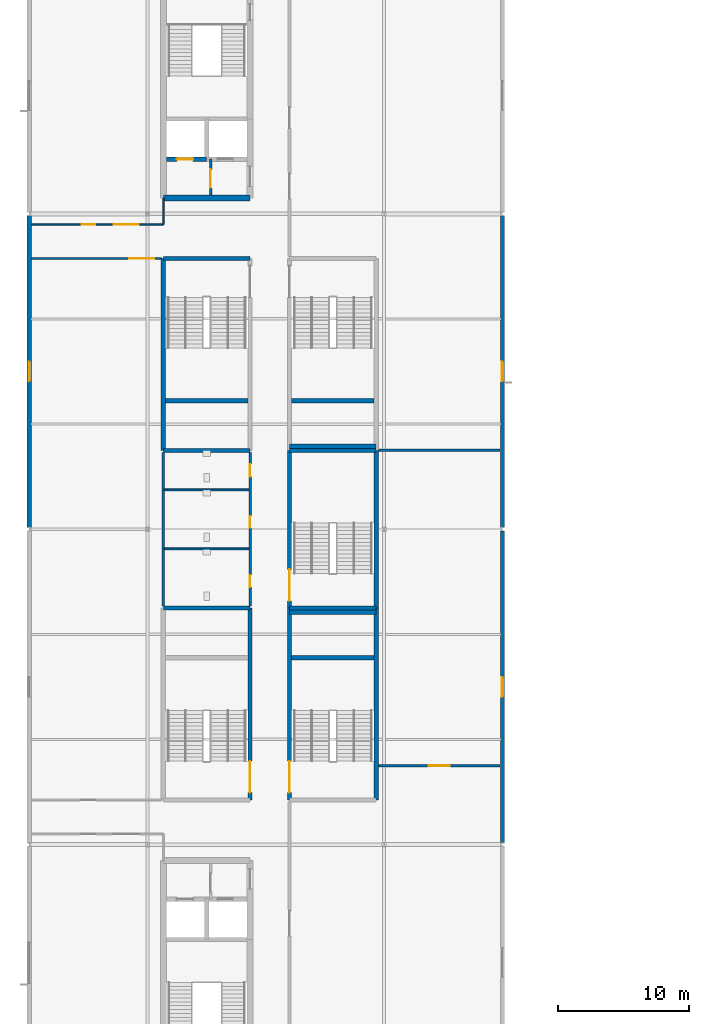
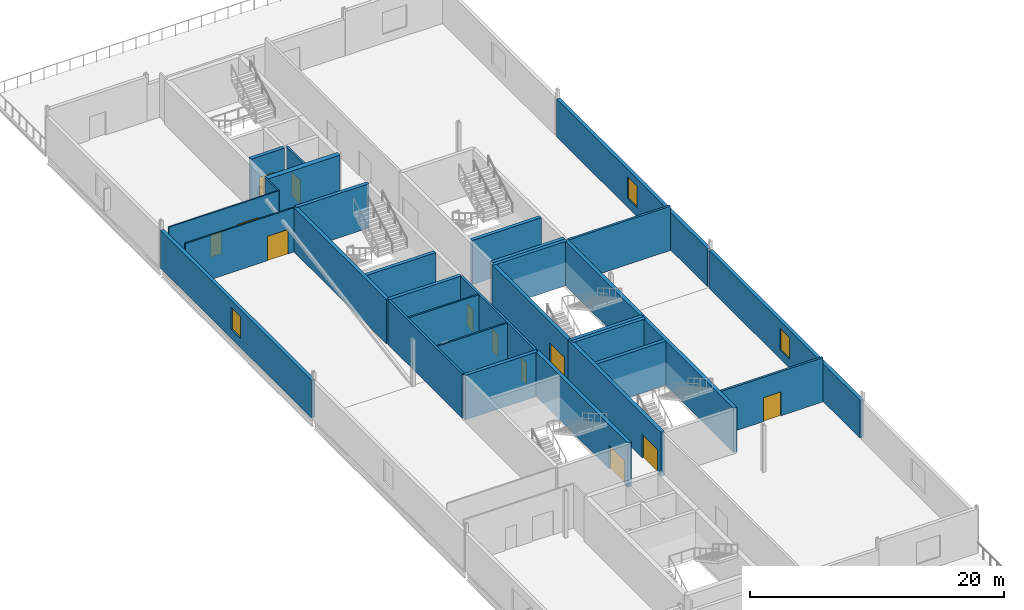
# One storey, part 12 of 28: 31 walls, 12 doors, 3 windows, 15 openings.
"""IFC4 building model written with IfcOpenShell, lengths in metres."""

from ifc_helpers import new_model, si_unit, direction, frame, frame_2d, origin, place, context, subcontext, project, spatial, rectangle, extrude, material, layer, layer_set, type_object, element, fill, save


model = new_model("IFC4")

# Units and contexts
model_context = context("Model", 3, precision=1e-05, world=origin(), true_north=direction((0.0, 1.0)))
body_context = subcontext(model_context, "Body", "Model", "MODEL_VIEW")
ifc_project = project(units=[si_unit("LENGTHUNIT", "METRE"), si_unit("AREAUNIT", "SQUARE_METRE"), si_unit("VOLUMEUNIT", "CUBIC_METRE"), si_unit("PLANEANGLEUNIT", "RADIAN"), si_unit("MASSUNIT", "GRAM", prefix="KILO")], contexts=[model_context])

# Site, building, storey
site_placement = place(None, origin())
site = spatial("IfcSite", under=ifc_project, at=site_placement, CompositionType="ELEMENT")
building_placement = place(site_placement, origin())
building = spatial("IfcBuilding", under=site, at=building_placement, Name="Kisiwana Market Hall", CompositionType="ELEMENT")
storey_placement = place(building_placement, frame((0.0, 0.0, 49.5)))
storey = spatial("IfcBuildingStorey", under=building, at=storey_placement, Name="L11", CompositionType="ELEMENT", Elevation=49.5)

# Wall, opening, door
ifc_material_1 = material(Name="Masonry blockwork", Category="masonry")
ifc_layer_1 = layer(ifc_material_1, 0.199951171875, Name="Plastered fire compartment block wall")
ifc_layer_set_1 = layer_set([ifc_layer_1], Name="WL-COMP-200")
wall_type_1 = type_object("IfcWallType", Name="WL-COMP-200", PredefinedType="PARTITIONING", material=ifc_layer_set_1)
wall_1_placement = place(storey_placement, frame((13.800048828125, 85.425048828125, 0.0), z_axis=(0.0, 0.0, 1.0), x_axis=(0.0, 1.0, 0.0)))
wall_1 = element("IfcWall", 1, at=wall_1_placement, inside=storey, type_object=wall_type_1, Name="Core W1 firefighting lobby wall W-2864", PredefinedType="PARTITIONING", context=body_context, shape_type="SweptSolid", body=[
    extrude(rectangle(XDim=2.72998046875, YDim=0.199951171875, at=frame_2d((1.364990234375, 0.0))), origin(), (0.0, 0.0, 1.0), 4.2548828125),
])
opening_1_placement = place(wall_1_placement, frame((0.550048828125, 0.0, 0.0)))
opening_1 = element("IfcOpeningElement", 2, at=opening_1_placement, cuts=wall_1, Name="Opening DR-L11-006", PredefinedType="OPENING", context=body_context, shape_type="SweptSolid", body=[
    extrude(rectangle(XDim=1.39990234375, YDim=2.25, at=frame_2d((0.699951171875, 1.125))), frame((0.0, 0.11181640625, 0.0), z_axis=(0.0, -1.0, 0.0), x_axis=(1.0, 0.0, 0.0)), (0.0, 0.0, 1.0), 0.223876953125),
])
ifc_material_2 = material(Name="Steel S275", Category="steel")
door_type_1 = type_object("IfcDoorType", Name="DR-FFLOB-FD120-1400", OperationType="DOUBLE_DOOR_SINGLE_SWING", PredefinedType="DOOR", material=ifc_material_2)
door_1_placement = place(opening_1_placement, frame((1.39990234375, 0.0, 0.0), z_axis=(0.0, 0.0, 1.0), x_axis=(-1.0, 0.0, 0.0)))
door_1 = element("IfcDoor", 3, at=door_1_placement, inside=storey, type_object=door_type_1, Name="Firefighting Lift Lobby W1 Door (L11)", OperationType="DOUBLE_DOOR_SINGLE_SWING", OverallHeight=2.25, OverallWidth=1.39990234375, PredefinedType="DOOR", context=body_context, shape_type="SweptSolid", body=[
    extrude(rectangle(XDim=1.39990234375, YDim=2.25, at=frame_2d((0.699951171875, 1.125))), frame((0.0, 0.02490234375, 0.0), z_axis=(0.0, -1.0, 0.0), x_axis=(1.0, 0.0, 0.0)), (0.0, 0.0, 1.0), 0.050048828125),
])
fill(opening_1, door_1)

# Wall
wall_2_placement = place(storey_placement, frame((10.199951171875, 54.159912109375, 0.0), z_axis=(0.0, 0.0, 1.0), x_axis=(0.0, 1.0, 0.0)))
element("IfcWall", 4, at=wall_2_placement, inside=storey, type_object=wall_type_1, Name="Interior partition W-2867", PredefinedType="PARTITIONING", context=body_context, shape_type="SweptSolid", body=[
    extrude(rectangle(XDim=11.68017578125, YDim=0.199951171875, at=frame_2d((5.840087890625, 0.0))), origin(), (0.0, 0.0, 1.0), 4.2548828125),
])

# Wall, openings, doors
wall_3_placement = place(storey_placement, frame((16.800048828125, 54.159912109375, 0.0), z_axis=(0.0, 0.0, 1.0), x_axis=(0.0, 1.0, 0.0)))
wall_3 = element("IfcWall", 5, at=wall_3_placement, inside=storey, type_object=wall_type_1, Name="Interior partition W-2868", PredefinedType="PARTITIONING", context=body_context, shape_type="SweptSolid", body=[
    extrude(rectangle(XDim=11.68017578125, YDim=0.199951171875, at=frame_2d((5.840087890625, 0.0))), origin(), (0.0, 0.0, 1.0), 4.2548828125),
])
opening_2_placement = place(wall_3_placement, frame((1.43994140625, 0.0, 0.0)))
opening_2 = element("IfcOpeningElement", 6, at=opening_2_placement, cuts=wall_3, Name="Opening DR-L11-023", PredefinedType="OPENING", context=body_context, shape_type="SweptSolid", body=[
    extrude(rectangle(XDim=0.89990234375, YDim=2.10009765625, at=frame_2d((0.449951171875, 1.050048828125))), frame((0.0, 0.11181640625, 0.0), z_axis=(0.0, -1.0, 0.0), x_axis=(1.0, 0.0, 0.0)), (0.0, 0.0, 1.0), 0.223876953125),
])
opening_3_placement = place(wall_3_placement, frame((5.93994140625, 0.0, 0.0)))
opening_3 = element("IfcOpeningElement", 7, at=opening_3_placement, cuts=wall_3, Name="Opening DR-L11-024", PredefinedType="OPENING", context=body_context, shape_type="SweptSolid", body=[
    extrude(rectangle(XDim=0.89990234375, YDim=2.10009765625, at=frame_2d((0.449951171875, 1.050048828125))), frame((0.0, 0.11181640625, 0.0), z_axis=(0.0, -1.0, 0.0), x_axis=(1.0, 0.0, 0.0)), (0.0, 0.0, 1.0), 0.223876953125),
])
opening_4_placement = place(wall_3_placement, frame((9.840087890625, 0.0, 0.0)))
opening_4 = element("IfcOpeningElement", 8, at=opening_4_placement, cuts=wall_3, Name="Opening DR-L11-025", PredefinedType="OPENING", context=body_context, shape_type="SweptSolid", body=[
    extrude(rectangle(XDim=0.949951171875, YDim=2.10009765625, at=frame_2d((0.47509765625, 1.050048828125))), frame((0.0, 0.11181640625, 0.0), z_axis=(0.0, -1.0, 0.0), x_axis=(1.0, 0.0, 0.0)), (0.0, 0.0, 1.0), 0.223876953125),
])
ifc_material_3 = material(Name="Aluminium alloy 6063-T6", Category="aluminium")
door_type_2 = type_object("IfcDoorType", Name="DR-WC-ACC-950", OperationType="NOTDEFINED", PredefinedType="DOOR", material=ifc_material_3)
door_2_placement = place(opening_4_placement, origin())
door_2 = element("IfcDoor", 9, at=door_2_placement, inside=storey, type_object=door_type_2, Name="L11 W Accessible WC Door", OperationType="SINGLE_SWING_RIGHT", OverallHeight=2.10009765625, OverallWidth=0.949951171875, PredefinedType="DOOR", context=body_context, shape_type="SweptSolid", body=[
    extrude(rectangle(XDim=0.949951171875, YDim=2.10009765625, at=frame_2d((0.47509765625, 1.050048828125))), frame((0.0, 0.02490234375, 0.0), z_axis=(0.0, -1.0, 0.0), x_axis=(1.0, 0.0, 0.0)), (0.0, 0.0, 1.0), 0.050048828125),
])
fill(opening_4, door_2)
ifc_material_4 = material(Name="Aluminium alloy 6063-T6", Category="aluminium")
door_type_3 = type_object("IfcDoorType", Name="DR-WC-STD-900", OperationType="NOTDEFINED", PredefinedType="DOOR", material=ifc_material_4)
door_3_placement = place(opening_2_placement, origin())
door_3 = element("IfcDoor", 10, at=door_3_placement, inside=storey, type_object=door_type_3, Name="L11 W Male Toilet Door", OperationType="SINGLE_SWING_LEFT", OverallHeight=2.10009765625, OverallWidth=0.89990234375, PredefinedType="DOOR", context=body_context, shape_type="SweptSolid", body=[
    extrude(rectangle(XDim=0.89990234375, YDim=2.10009765625, at=frame_2d((0.449951171875, 1.050048828125))), frame((0.0, 0.02490234375, 0.0), z_axis=(0.0, -1.0, 0.0), x_axis=(1.0, 0.0, 0.0)), (0.0, 0.0, 1.0), 0.050048828125),
])
fill(opening_2, door_3)
door_4_placement = place(opening_3_placement, origin())
door_4 = element("IfcDoor", 11, at=door_4_placement, inside=storey, type_object=door_type_3, Name="L11 W Female Toilet Door", OperationType="SINGLE_SWING_RIGHT", OverallHeight=2.10009765625, OverallWidth=0.89990234375, PredefinedType="DOOR", context=body_context, shape_type="SweptSolid", body=[
    extrude(rectangle(XDim=0.89990234375, YDim=2.10009765625, at=frame_2d((0.449951171875, 1.050048828125))), frame((0.0, 0.02490234375, 0.0), z_axis=(0.0, -1.0, 0.0), x_axis=(1.0, 0.0, 0.0)), (0.0, 0.0, 1.0), 0.050048828125),
])
fill(opening_3, door_4)

# Wall, opening, door
wall_4_placement = place(storey_placement, frame((26.56005859375, 42.0, 0.0), z_axis=(0.0, 0.0, 1.0), x_axis=(1.0, 0.0, 0.0)))
wall_4 = element("IfcWall", 12, at=wall_4_placement, inside=storey, type_object=wall_type_1, Name="Interior partition W-2879", PredefinedType="PARTITIONING", context=body_context, shape_type="SweptSolid", body=[
    extrude(rectangle(XDim=9.27001953125, YDim=0.199951171875, at=frame_2d((4.635009765625, 0.0))), origin(), (0.0, 0.0, 1.0), 4.2548828125),
])
opening_5_placement = place(wall_4_placement, frame((3.85009765625, 0.0, 0.0)))
opening_5 = element("IfcOpeningElement", 13, at=opening_5_placement, cuts=wall_4, Name="Opening DR-L11-032", PredefinedType="OPENING", context=body_context, shape_type="SweptSolid", body=[
    extrude(rectangle(XDim=1.60009765625, YDim=2.300048828125, at=frame_2d((0.800048828125, 1.14990234375))), frame((0.0, 0.11181640625, 0.0), z_axis=(0.0, -1.0, 0.0), x_axis=(1.0, 0.0, 0.0)), (0.0, 0.0, 1.0), 0.223876953125),
])
ifc_material_5 = material(Name="Steel S275", Category="steel")
door_type_4 = type_object("IfcDoorType", Name="DR-PLANT-FD120-1600", OperationType="DOUBLE_DOOR_SINGLE_SWING", PredefinedType="DOOR", material=ifc_material_5)
door_5_placement = place(opening_5_placement, origin())
door_5 = element("IfcDoor", 14, at=door_5_placement, inside=storey, type_object=door_type_4, Name="L11 W Mid-Height AHU Plant Room Door", OperationType="DOUBLE_DOOR_SINGLE_SWING", OverallHeight=2.300048828125, OverallWidth=1.60009765625, PredefinedType="DOOR", context=body_context, shape_type="SweptSolid", body=[
    extrude(rectangle(XDim=1.60009765625, YDim=2.300048828125, at=frame_2d((0.800048828125, 1.14990234375))), frame((0.0, 0.02490234375, 0.0), z_axis=(0.0, -1.0, 0.0), x_axis=(1.0, 0.0, 0.0)), (0.0, 0.0, 1.0), 0.050048828125),
])
fill(opening_5, door_5)

# Wall
wall_5_placement = place(storey_placement, frame((26.56005859375, 66.0, 0.0), z_axis=(0.0, 0.0, 1.0), x_axis=(1.0, 0.0, 0.0)))
element("IfcWall", 15, at=wall_5_placement, inside=storey, type_object=wall_type_1, Name="Interior partition W-2880", PredefinedType="PARTITIONING", context=body_context, shape_type="SweptSolid", body=[
    extrude(rectangle(XDim=9.27001953125, YDim=0.199951171875, at=frame_2d((4.635009765625, 0.0))), origin(), (0.0, 0.0, 1.0), 4.2548828125),
])

# Wall, opening, door
ifc_material_6 = material(Name="Concrete C40/50", Category="concrete")
ifc_layer_2 = layer(ifc_material_6, 0.320068359375, Name="Reinforced concrete shaft wall")
ifc_layer_set_2 = layer_set([ifc_layer_2], Name="WL-CORE-320")
wall_type_2 = type_object("IfcWallType", Name="WL-CORE-320", PredefinedType="SHEAR", material=ifc_layer_set_2)
wall_6_placement = place(storey_placement, frame((10.425048828125, 88.155029296875, 0.0), z_axis=(0.0, 0.0, 1.0), x_axis=(1.0, 0.0, 0.0)))
wall_6 = element("IfcWall", 16, at=wall_6_placement, inside=storey, type_object=wall_type_2, Name="Core W1 west lift front wall W-2767", PredefinedType="SHEAR", context=body_context, shape_type="SweptSolid", body=[
    extrude(rectangle(XDim=3.074951171875, YDim=0.320068359375, at=frame_2d((1.53759765625, 0.0))), origin(), (0.0, 0.0, 1.0), 4.2548828125),
])
opening_6_placement = place(wall_6_placement, frame((0.800048828125, 0.0, 0.0)))
opening_6 = element("IfcOpeningElement", 17, at=opening_6_placement, cuts=wall_6, Name="Opening LD-L11-003", PredefinedType="OPENING", context=body_context, shape_type="SweptSolid", body=[
    extrude(rectangle(XDim=1.25, YDim=2.25, at=frame_2d((0.625, 1.125))), frame((0.0, 0.171875, 0.0), z_axis=(0.0, -1.0, 0.0), x_axis=(1.0, 0.0, 0.0)), (0.0, 0.0, 1.0), 0.343994140625),
])
ifc_material_7 = material(Name="Steel S275", Category="steel")
door_type_5 = type_object("IfcDoorType", Name="DR-LIFT-FFL-1250", OperationType="DOUBLE_DOOR_SLIDING", PredefinedType="DOOR", material=ifc_material_7)
door_6_placement = place(opening_6_placement, origin())
door_6 = element("IfcDoor", 18, at=door_6_placement, inside=storey, type_object=door_type_5, Name="Lift Landing Door FFL-02 (L11)", OperationType="DOUBLE_DOOR_SLIDING", OverallHeight=2.25, OverallWidth=1.25, PredefinedType="DOOR", context=body_context, shape_type="SweptSolid", body=[
    extrude(rectangle(XDim=1.25, YDim=2.25, at=frame_2d((0.625, 1.125))), frame((0.0, 0.02490234375, 0.0), z_axis=(0.0, -1.0, 0.0), x_axis=(1.0, 0.0, 0.0)), (0.0, 0.0, 1.0), 0.050048828125),
])
fill(opening_6, door_6)

# Wall
wall_7_placement = place(storey_placement, frame((10.199951171875, 54.0, 0.0), z_axis=(0.0, 0.0, 1.0), x_axis=(1.0, 0.0, 0.0)))
element("IfcWall", 19, at=wall_7_placement, inside=storey, type_object=wall_type_2, Name="Core W3 north shear wall W-2788", PredefinedType="SHEAR", context=body_context, shape_type="SweptSolid", body=[
    extrude(rectangle(XDim=6.60009765625, YDim=0.320068359375, at=frame_2d((3.300048828125, 0.0))), origin(), (0.0, 0.0, 1.0), 4.2548828125),
])

# Wall, opening, door
wall_8_placement = place(storey_placement, frame((16.800048828125, 39.39990234375, 0.0), z_axis=(0.0, 0.0, 1.0), x_axis=(0.0, 1.0, 0.0)))
wall_8 = element("IfcWall", 20, at=wall_8_placement, inside=storey, type_object=wall_type_2, Name="Core W3 corridor shear wall W-2790", PredefinedType="SHEAR", context=body_context, shape_type="SweptSolid", body=[
    extrude(rectangle(XDim=14.60009765625, YDim=0.320068359375, at=frame_2d((7.300048828125, 0.0))), origin(), (0.0, 0.0, 1.0), 4.2548828125),
])
opening_7_placement = place(wall_8_placement, frame((0.550048828125, 0.0, 0.0)))
opening_7 = element("IfcOpeningElement", 21, at=opening_7_placement, cuts=wall_8, Name="Opening DR-L11-013", PredefinedType="OPENING", context=body_context, shape_type="SweptSolid", body=[
    extrude(rectangle(XDim=2.39990234375, YDim=2.25, at=frame_2d((1.199951171875, 1.125))), frame((0.0, 0.171875, 0.0), z_axis=(0.0, -1.0, 0.0), x_axis=(1.0, 0.0, 0.0)), (0.0, 0.0, 1.0), 0.343994140625),
])
ifc_material_8 = material(Name="Steel S275", Category="steel")
door_type_6 = type_object("IfcDoorType", Name="DR-STAIR-FD120-2400", OperationType="DOUBLE_DOOR_SINGLE_SWING", PredefinedType="DOOR", material=ifc_material_8)
door_7_placement = place(opening_7_placement, origin())
door_7 = element("IfcDoor", 22, at=door_7_placement, inside=storey, type_object=door_type_6, Name="Escape Stair W3 Fire Door (L11)", OperationType="DOUBLE_DOOR_SINGLE_SWING", OverallHeight=2.25, OverallWidth=2.39990234375, PredefinedType="DOOR", context=body_context, shape_type="SweptSolid", body=[
    extrude(rectangle(XDim=2.39990234375, YDim=2.25, at=frame_2d((1.199951171875, 1.125))), frame((0.0, 0.02490234375, 0.0), z_axis=(0.0, -1.0, 0.0), x_axis=(1.0, 0.0, 0.0)), (0.0, 0.0, 1.0), 0.050048828125),
])
fill(opening_7, door_7)

# Walls
for number, where, z_axis, x_axis, name in (
    (23, (10.199951171875, 66.0, 0.0), (0.0, 0.0, 1.0), (1.0, 0.0, 0.0), "Core W4 south shear wall W-2792"),
    (24, (10.199951171875, 80.60009765625, 0.0), (0.0, 0.0, 1.0), (1.0, 0.0, 0.0), "Core W4 north shear wall W-2793"),
):
    element("IfcWall", number, at=place(storey_placement, frame(where, z_axis=z_axis, x_axis=x_axis)), inside=storey, type_object=wall_type_2, Name=name, PredefinedType="SHEAR", context=body_context, shape_type="SweptSolid", body=[
        extrude(rectangle(XDim=6.60009765625, YDim=0.320068359375, at=frame_2d((3.300048828125, 0.0))), origin(), (0.0, 0.0, 1.0), 4.2548828125),
    ])
wall_9_placement = place(storey_placement, frame((10.199951171875, 66.0, 0.0), z_axis=(0.0, 0.0, 1.0), x_axis=(0.0, 1.0, 0.0)))
element("IfcWall", 25, at=wall_9_placement, inside=storey, type_object=wall_type_2, Name="Core W4 outer shear wall W-2794", PredefinedType="SHEAR", context=body_context, shape_type="SweptSolid", body=[
    extrude(rectangle(XDim=14.60009765625, YDim=0.320068359375, at=frame_2d((7.300048828125, 0.0))), origin(), (0.0, 0.0, 1.0), 4.2548828125),
])
wall_10_placement = place(storey_placement, frame((10.360107421875, 69.780029296875, 0.0), z_axis=(0.0, 0.0, 1.0), x_axis=(1.0, 0.0, 0.0)))
element("IfcWall", 26, at=wall_10_placement, inside=storey, type_object=wall_type_2, Name="Core W4 riser divider shear wall W-2796", PredefinedType="SHEAR", context=body_context, shape_type="SweptSolid", body=[
    extrude(rectangle(XDim=6.27978515625, YDim=0.320068359375, at=frame_2d((3.139892578125, 0.0))), origin(), (0.0, 0.0, 1.0), 4.2548828125),
])
wall_11_placement = place(storey_placement, frame((19.800048828125, 54.0, 0.0), z_axis=(0.0, 0.0, 1.0), x_axis=(1.0, 0.0, 0.0)))
element("IfcWall", 27, at=wall_11_placement, inside=storey, type_object=wall_type_2, Name="Core W7 north shear wall W-2808", PredefinedType="SHEAR", context=body_context, shape_type="SweptSolid", body=[
    extrude(rectangle(XDim=6.599853515625, YDim=0.320068359375, at=frame_2d((3.2998046875, 0.0))), origin(), (0.0, 0.0, 1.0), 4.2548828125),
])

# Wall, opening, door
wall_12_placement = place(storey_placement, frame((19.800048828125, 39.39990234375, 0.0), z_axis=(0.0, 0.0, 1.0), x_axis=(0.0, 1.0, 0.0)))
wall_12 = element("IfcWall", 28, at=wall_12_placement, inside=storey, type_object=wall_type_2, Name="Core W7 corridor shear wall W-2809", PredefinedType="SHEAR", context=body_context, shape_type="SweptSolid", body=[
    extrude(rectangle(XDim=14.60009765625, YDim=0.320068359375, at=frame_2d((7.300048828125, 0.0))), origin(), (0.0, 0.0, 1.0), 4.2548828125),
])
opening_8_placement = place(wall_12_placement, frame((0.550048828125, 0.0, 0.0)))
opening_8 = element("IfcOpeningElement", 29, at=opening_8_placement, cuts=wall_12, Name="Opening DR-L11-017", PredefinedType="OPENING", context=body_context, shape_type="SweptSolid", body=[
    extrude(rectangle(XDim=2.39990234375, YDim=2.25, at=frame_2d((1.199951171875, 1.125))), frame((0.0, 0.171875, 0.0), z_axis=(0.0, -1.0, 0.0), x_axis=(1.0, 0.0, 0.0)), (0.0, 0.0, 1.0), 0.343994140625),
])
door_8_placement = place(opening_8_placement, frame((2.39990234375, 0.0, 0.0), z_axis=(0.0, 0.0, 1.0), x_axis=(-1.0, 0.0, 0.0)))
door_8 = element("IfcDoor", 30, at=door_8_placement, inside=storey, type_object=door_type_6, Name="Escape Stair W7 Fire Door (L11)", OperationType="DOUBLE_DOOR_SINGLE_SWING", OverallHeight=2.25, OverallWidth=2.39990234375, PredefinedType="DOOR", context=body_context, shape_type="SweptSolid", body=[
    extrude(rectangle(XDim=2.39990234375, YDim=2.25, at=frame_2d((1.199951171875, 1.125))), frame((0.0, 0.02490234375, 0.0), z_axis=(0.0, -1.0, 0.0), x_axis=(1.0, 0.0, 0.0)), (0.0, 0.0, 1.0), 0.050048828125),
])
fill(opening_8, door_8)

# Walls
wall_13_placement = place(storey_placement, frame((26.39990234375, 39.39990234375, 0.0), z_axis=(0.0, 0.0, 1.0), x_axis=(0.0, 1.0, 0.0)))
element("IfcWall", 31, at=wall_13_placement, inside=storey, type_object=wall_type_2, Name="Core W7 outer shear wall W-2810", PredefinedType="SHEAR", context=body_context, shape_type="SweptSolid", body=[
    extrude(rectangle(XDim=14.60009765625, YDim=0.320068359375, at=frame_2d((7.300048828125, 0.0))), origin(), (0.0, 0.0, 1.0), 4.2548828125),
])
wall_14_placement = place(storey_placement, frame((19.9599609375, 50.219970703125, 0.0), z_axis=(0.0, 0.0, 1.0), x_axis=(1.0, 0.0, 0.0)))
element("IfcWall", 32, at=wall_14_placement, inside=storey, type_object=wall_type_2, Name="Core W7 riser divider shear wall W-2811", PredefinedType="SHEAR", context=body_context, shape_type="SweptSolid", body=[
    extrude(rectangle(XDim=6.280029296875, YDim=0.320068359375, at=frame_2d((3.14013671875, 0.0))), origin(), (0.0, 0.0, 1.0), 4.2548828125),
])
wall_15_placement = place(storey_placement, frame((19.800048828125, 66.0, 0.0), z_axis=(0.0, 0.0, 1.0), x_axis=(1.0, 0.0, 0.0)))
element("IfcWall", 33, at=wall_15_placement, inside=storey, type_object=wall_type_2, Name="Core W8 south shear wall W-2817", PredefinedType="SHEAR", context=body_context, shape_type="SweptSolid", body=[
    extrude(rectangle(XDim=6.599853515625, YDim=0.320068359375, at=frame_2d((3.2998046875, 0.0))), origin(), (0.0, 0.0, 1.0), 4.2548828125),
])
wall_16_placement = place(storey_placement, frame((19.9599609375, 69.780029296875, 0.0), z_axis=(0.0, 0.0, 1.0), x_axis=(1.0, 0.0, 0.0)))
element("IfcWall", 34, at=wall_16_placement, inside=storey, type_object=wall_type_2, Name="Core W8 riser divider shear wall W-2821", PredefinedType="SHEAR", context=body_context, shape_type="SweptSolid", body=[
    extrude(rectangle(XDim=6.280029296875, YDim=0.320068359375, at=frame_2d((3.14013671875, 0.0))), origin(), (0.0, 0.0, 1.0), 4.2548828125),
])
for number, where, z_axis, x_axis, name in (
    (35, (19.800048828125, 53.679931640625, 0.0), (0.0, 0.0, 1.0), (1.0, 0.0, 0.0), "Core W5 south shear wall W-2827"),
    (36, (19.800048828125, 66.320068359375, 0.0), (0.0, 0.0, 1.0), (1.0, 0.0, 0.0), "Core W5 north shear wall W-2828"),
):
    element("IfcWall", number, at=place(storey_placement, frame(where, z_axis=z_axis, x_axis=x_axis)), inside=storey, type_object=wall_type_2, Name=name, PredefinedType="SHEAR", context=body_context, shape_type="SweptSolid", body=[
        extrude(rectangle(XDim=6.599853515625, YDim=0.320068359375, at=frame_2d((3.2998046875, 0.0))), origin(), (0.0, 0.0, 1.0), 4.2548828125),
    ])

# Wall, opening, door
wall_17_placement = place(storey_placement, frame((19.800048828125, 54.0, 0.0), z_axis=(0.0, 0.0, 1.0), x_axis=(0.0, 1.0, 0.0)))
wall_17 = element("IfcWall", 37, at=wall_17_placement, inside=storey, type_object=wall_type_2, Name="Core W5 corridor shear wall W-2829", PredefinedType="SHEAR", context=body_context, shape_type="SweptSolid", body=[
    extrude(rectangle(XDim=12.0, YDim=0.320068359375, at=frame_2d((6.0, 0.0))), origin(), (0.0, 0.0, 1.0), 4.2548828125),
])
opening_9_placement = place(wall_17_placement, frame((0.550048828125, 0.0, 0.0)))
opening_9 = element("IfcOpeningElement", 38, at=opening_9_placement, cuts=wall_17, Name="Opening DR-L11-021", PredefinedType="OPENING", context=body_context, shape_type="SweptSolid", body=[
    extrude(rectangle(XDim=2.39990234375, YDim=2.25, at=frame_2d((1.199951171875, 1.125))), frame((0.0, 0.171875, 0.0), z_axis=(0.0, -1.0, 0.0), x_axis=(1.0, 0.0, 0.0)), (0.0, 0.0, 1.0), 0.343994140625),
])
door_9_placement = place(opening_9_placement, frame((2.39990234375, 0.0, 0.0), z_axis=(0.0, 0.0, 1.0), x_axis=(-1.0, 0.0, 0.0)))
door_9 = element("IfcDoor", 39, at=door_9_placement, inside=storey, type_object=door_type_6, Name="Escape Stair W5 Fire Door (L11)", OperationType="DOUBLE_DOOR_SINGLE_SWING", OverallHeight=2.25, OverallWidth=2.39990234375, PredefinedType="DOOR", context=body_context, shape_type="SweptSolid", body=[
    extrude(rectangle(XDim=2.39990234375, YDim=2.25, at=frame_2d((1.199951171875, 1.125))), frame((0.0, 0.02490234375, 0.0), z_axis=(0.0, -1.0, 0.0), x_axis=(1.0, 0.0, 0.0)), (0.0, 0.0, 1.0), 0.050048828125),
])
fill(opening_9, door_9)

# Walls
wall_18_placement = place(storey_placement, frame((26.39990234375, 54.0, 0.0), z_axis=(0.0, 0.0, 1.0), x_axis=(0.0, 1.0, 0.0)))
element("IfcWall", 40, at=wall_18_placement, inside=storey, type_object=wall_type_2, Name="Core W5 outer shear wall W-2830", PredefinedType="SHEAR", context=body_context, shape_type="SweptSolid", body=[
    extrude(rectangle(XDim=12.0, YDim=0.320068359375, at=frame_2d((6.0, 0.0))), origin(), (0.0, 0.0, 1.0), 4.2548828125),
])
ifc_material_9 = material(Name="Concrete C40/50", Category="concrete")
ifc_layer_3 = layer(ifc_material_9, 0.449951171875, Name="Reinforced concrete core wall")
ifc_layer_set_3 = layer_set([ifc_layer_3], Name="WL-CORE-450")
wall_type_3 = type_object("IfcWallType", Name="WL-CORE-450", PredefinedType="SHEAR", material=ifc_layer_set_3)
wall_19_placement = place(storey_placement, frame((10.199951171875, 85.199951171875, 0.0), z_axis=(0.0, 0.0, 1.0), x_axis=(1.0, 0.0, 0.0)))
element("IfcWall", 41, at=wall_19_placement, inside=storey, type_object=wall_type_3, Name="Core W1 south shear wall W-2760", PredefinedType="SHEAR", context=body_context, shape_type="SweptSolid", body=[
    extrude(rectangle(XDim=6.60009765625, YDim=0.449951171875, at=frame_2d((3.300048828125, 0.0))), origin(), (0.0, 0.0, 1.0), 4.2548828125),
])

# Wall, opening, window
ifc_material_10 = material(Name="Concrete C40/50 precast", Category="concrete")
ifc_layer_4 = layer(ifc_material_10, 0.31494140625)
ifc_layer_set_4 = layer_set([ifc_layer_4], Name="WL-EXT-315")
wall_type_4 = type_object("IfcWallType", Name="WL-EXT-315", PredefinedType="STANDARD", material=ifc_layer_set_4)
wall_20_placement = place(storey_placement, frame((0.0, 60.133056640625, 0.0), z_axis=(0.0, 0.0, 1.0), x_axis=(0.0, 1.0, 0.0)))
wall_20 = element("IfcWall", 42, at=wall_20_placement, inside=storey, type_object=wall_type_4, Name="Exterior wall W-2849", PredefinedType="STANDARD", context=body_context, shape_type="SweptSolid", body=[
    extrude(rectangle(XDim=23.73388671875, YDim=0.31494140625, at=frame_2d((11.866943359375, 0.0))), origin(), (0.0, 0.0, 1.0), 3.642822265625),
])
opening_10_placement = place(wall_20_placement, frame((11.116943359375, 0.0, 0.85009765625)))
opening_10 = element("IfcOpeningElement", 43, at=opening_10_placement, cuts=wall_20, Name="Opening WN-04", PredefinedType="OPENING", context=body_context, shape_type="SweptSolid", body=[
    extrude(rectangle(XDim=1.5, YDim=2.10009765625, at=frame_2d((0.75, 1.050048828125))), frame((0.0, 0.16943359375, 0.0), z_axis=(0.0, -1.0, 0.0), x_axis=(1.0, 0.0, 0.0)), (0.0, 0.0, 1.0), 0.3388671875),
])
ifc_material_11 = material(Name="Double-glazed solar-control low-E IGU", Category="glass")
window_type = type_object("IfcWindowType", Name="WN-DRUM-1500x2100", PartitioningType="SINGLE_PANEL", PredefinedType="WINDOW", material=ifc_material_11)
window_1_placement = place(opening_10_placement, origin())
window_1 = element("IfcWindow", 44, at=window_1_placement, inside=storey, type_object=window_type, Name="Exterior window WN-338", OverallHeight=2.10009765625, OverallWidth=1.5, PartitioningType="SINGLE_PANEL", PredefinedType="WINDOW", context=body_context, shape_type="SweptSolid", body=[
    extrude(rectangle(XDim=1.5, YDim=2.10009765625, at=frame_2d((0.75, 1.050048828125))), frame((0.0, 0.030029296875, 0.0), z_axis=(0.0, -1.0, 0.0), x_axis=(1.0, 0.0, 0.0)), (0.0, 0.0, 1.0), 0.06005859375),
])
fill(opening_10, window_1)

wall_21_placement = place(storey_placement, frame((36.0, 36.133056640625, 0.0), z_axis=(0.0, 0.0, 1.0), x_axis=(0.0, 1.0, 0.0)))
wall_21 = element("IfcWall", 45, at=wall_21_placement, inside=storey, type_object=wall_type_4, Name="Exterior wall W-2852", PredefinedType="STANDARD", context=body_context, shape_type="SweptSolid", body=[
    extrude(rectangle(XDim=23.73388671875, YDim=0.31494140625, at=frame_2d((11.866943359375, 0.0))), origin(), (0.0, 0.0, 1.0), 3.642822265625),
])
opening_11_placement = place(wall_21_placement, frame((11.116943359375, 0.0, 0.85009765625)))
opening_11 = element("IfcOpeningElement", 46, at=opening_11_placement, cuts=wall_21, Name="Opening WN-04", PredefinedType="OPENING", context=body_context, shape_type="SweptSolid", body=[
    extrude(rectangle(XDim=1.5, YDim=2.10009765625, at=frame_2d((0.75, 1.050048828125))), frame((0.0, 0.16943359375, 0.0), z_axis=(0.0, -1.0, 0.0), x_axis=(1.0, 0.0, 0.0)), (0.0, 0.0, 1.0), 0.3388671875),
])
window_2_placement = place(opening_11_placement, origin())
window_2 = element("IfcWindow", 47, at=window_2_placement, inside=storey, type_object=window_type, Name="Exterior window WN-339", OverallHeight=2.10009765625, OverallWidth=1.5, PartitioningType="SINGLE_PANEL", PredefinedType="WINDOW", context=body_context, shape_type="SweptSolid", body=[
    extrude(rectangle(XDim=1.5, YDim=2.10009765625, at=frame_2d((0.75, 1.050048828125))), frame((0.0, 0.030029296875, 0.0), z_axis=(0.0, -1.0, 0.0), x_axis=(1.0, 0.0, 0.0)), (0.0, 0.0, 1.0), 0.06005859375),
])
fill(opening_11, window_2)

wall_22_placement = place(storey_placement, frame((36.0, 60.133056640625, 0.0), z_axis=(0.0, 0.0, 1.0), x_axis=(0.0, 1.0, 0.0)))
wall_22 = element("IfcWall", 48, at=wall_22_placement, inside=storey, type_object=wall_type_4, Name="Exterior wall W-2853", PredefinedType="STANDARD", context=body_context, shape_type="SweptSolid", body=[
    extrude(rectangle(XDim=23.73388671875, YDim=0.31494140625, at=frame_2d((11.866943359375, 0.0))), origin(), (0.0, 0.0, 1.0), 3.642822265625),
])
opening_12_placement = place(wall_22_placement, frame((11.116943359375, 0.0, 0.85009765625)))
opening_12 = element("IfcOpeningElement", 49, at=opening_12_placement, cuts=wall_22, Name="Opening WN-04", PredefinedType="OPENING", context=body_context, shape_type="SweptSolid", body=[
    extrude(rectangle(XDim=1.5, YDim=2.10009765625, at=frame_2d((0.75, 1.050048828125))), frame((0.0, 0.16943359375, 0.0), z_axis=(0.0, -1.0, 0.0), x_axis=(1.0, 0.0, 0.0)), (0.0, 0.0, 1.0), 0.3388671875),
])
window_3_placement = place(opening_12_placement, origin())
window_3 = element("IfcWindow", 50, at=window_3_placement, inside=storey, type_object=window_type, Name="Exterior window WN-340", OverallHeight=2.10009765625, OverallWidth=1.5, PartitioningType="SINGLE_PANEL", PredefinedType="WINDOW", context=body_context, shape_type="SweptSolid", body=[
    extrude(rectangle(XDim=1.5, YDim=2.10009765625, at=frame_2d((0.75, 1.050048828125))), frame((0.0, 0.030029296875, 0.0), z_axis=(0.0, -1.0, 0.0), x_axis=(1.0, 0.0, 0.0)), (0.0, 0.0, 1.0), 0.06005859375),
])
fill(opening_12, window_3)

# Wall
ifc_material_12 = material(Name="Gypsum plasterboard")
ifc_layer_5 = layer(ifc_material_12, 0.125, Name="Double gypsum board + acoustic stud")
ifc_layer_set_5 = layer_set([ifc_layer_5], Name="WL-OFF-125")
wall_type_5 = type_object("IfcWallType", Name="WL-OFF-125", PredefinedType="PARTITIONING", material=ifc_layer_set_5)
wall_23_placement = place(storey_placement, frame((10.199951171875, 83.199951171875, 0.0), z_axis=(0.0, 0.0, 1.0), x_axis=(0.0, 1.0, 0.0)))
element("IfcWall", 51, at=wall_23_placement, inside=storey, type_object=wall_type_5, Name="Interior partition W-2872", PredefinedType="PARTITIONING", context=body_context, shape_type="SweptSolid", body=[
    extrude(rectangle(XDim=2.0, YDim=0.125, at=frame_2d((1.0, 0.0))), origin(), (0.0, 0.0, 1.0), 4.2548828125),
])

# Wall, opening, door
wall_24_placement = place(storey_placement, frame((0.169921875, 80.60009765625, 0.0), z_axis=(0.0, 0.0, 1.0), x_axis=(1.0, 0.0, 0.0)))
wall_24 = element("IfcWall", 52, at=wall_24_placement, inside=storey, type_object=wall_type_5, Name="Interior partition W-2877", PredefinedType="PARTITIONING", context=body_context, shape_type="SweptSolid", body=[
    extrude(rectangle(XDim=9.8701171875, YDim=0.125, at=frame_2d((4.93505859375, 0.0))), origin(), (0.0, 0.0, 1.0), 4.2548828125),
])
opening_13_placement = place(wall_24_placement, frame((7.449951171875, 0.0, 0.0)))
opening_13 = element("IfcOpeningElement", 53, at=opening_13_placement, cuts=wall_24, Name="Opening DR-L11-029", PredefinedType="OPENING", context=body_context, shape_type="SweptSolid", body=[
    extrude(rectangle(XDim=1.89990234375, YDim=2.35009765625, at=frame_2d((0.949951171875, 1.175048828125))), frame((0.0, 0.074462890625, 0.0), z_axis=(0.0, -1.0, 0.0), x_axis=(1.0, 0.0, 0.0)), (0.0, 0.0, 1.0), 0.14892578125),
])
ifc_material_13 = material(Name="Steel S275", Category="steel")
door_type_7 = type_object("IfcDoorType", Name="DR-HALL-1900", OperationType="DOUBLE_DOOR_SINGLE_SWING", PredefinedType="DOOR", material=ifc_material_13)
door_10_placement = place(opening_13_placement, frame((1.89990234375, 0.0, 0.0), z_axis=(0.0, 0.0, 1.0), x_axis=(-1.0, 0.0, 0.0)))
door_10 = element("IfcDoor", 54, at=door_10_placement, inside=storey, type_object=door_type_7, Name="L11 W Civic Seminar Suite Central Exit Door", OperationType="DOUBLE_DOOR_SINGLE_SWING", OverallHeight=2.35009765625, OverallWidth=1.89990234375, PredefinedType="DOOR", context=body_context, shape_type="SweptSolid", body=[
    extrude(rectangle(XDim=1.89990234375, YDim=2.35009765625, at=frame_2d((0.949951171875, 1.175048828125))), frame((0.0, 0.02490234375, 0.0), z_axis=(0.0, -1.0, 0.0), x_axis=(1.0, 0.0, 0.0)), (0.0, 0.0, 1.0), 0.050048828125),
])
fill(opening_13, door_10)

# Wall, openings, doors
wall_25_placement = place(storey_placement, frame((0.169921875, 83.199951171875, 0.0), z_axis=(0.0, 0.0, 1.0), x_axis=(1.0, 0.0, 0.0)))
wall_25 = element("IfcWall", 55, at=wall_25_placement, inside=storey, type_object=wall_type_5, Name="Interior partition W-2878", PredefinedType="PARTITIONING", context=body_context, shape_type="SweptSolid", body=[
    extrude(rectangle(XDim=10.030029296875, YDim=0.125, at=frame_2d((5.01513671875, 0.0))), origin(), (0.0, 0.0, 1.0), 4.2548828125),
])
opening_14_placement = place(wall_25_placement, frame((3.830078125, 0.0, 0.0)))
opening_14 = element("IfcOpeningElement", 56, at=opening_14_placement, cuts=wall_25, Name="Opening DR-L11-030", PredefinedType="OPENING", context=body_context, shape_type="SweptSolid", body=[
    extrude(rectangle(XDim=1.0, YDim=2.14990234375, at=frame_2d((0.5, 1.074951171875))), frame((0.0, 0.074462890625, 0.0), z_axis=(0.0, -1.0, 0.0), x_axis=(1.0, 0.0, 0.0)), (0.0, 0.0, 1.0), 0.14892578125),
])
opening_15_placement = place(wall_25_placement, frame((6.25, 0.0, 0.0)))
opening_15 = element("IfcOpeningElement", 57, at=opening_15_placement, cuts=wall_25, Name="Opening DR-L11-031", PredefinedType="OPENING", context=body_context, shape_type="SweptSolid", body=[
    extrude(rectangle(XDim=1.89990234375, YDim=2.35009765625, at=frame_2d((0.949951171875, 1.175048828125))), frame((0.0, 0.074462890625, 0.0), z_axis=(0.0, -1.0, 0.0), x_axis=(1.0, 0.0, 0.0)), (0.0, 0.0, 1.0), 0.14892578125),
])
door_11_placement = place(opening_15_placement, origin())
door_11 = element("IfcDoor", 58, at=door_11_placement, inside=storey, type_object=door_type_7, Name="L11 W Civic Seminar Suite North Exit Door", OperationType="DOUBLE_DOOR_SINGLE_SWING", OverallHeight=2.35009765625, OverallWidth=1.89990234375, PredefinedType="DOOR", context=body_context, shape_type="SweptSolid", body=[
    extrude(rectangle(XDim=1.89990234375, YDim=2.35009765625, at=frame_2d((0.949951171875, 1.175048828125))), frame((0.0, 0.02490234375, 0.0), z_axis=(0.0, -1.0, 0.0), x_axis=(1.0, 0.0, 0.0)), (0.0, 0.0, 1.0), 0.050048828125),
])
fill(opening_15, door_11)
ifc_material_14 = material(Name="Aluminium alloy 6063-T6", Category="aluminium")
door_type_8 = type_object("IfcDoorType", Name="DR-OFF-1000", OperationType="NOTDEFINED", PredefinedType="DOOR", material=ifc_material_14)
door_12_placement = place(opening_14_placement, origin())
door_12 = element("IfcDoor", 59, at=door_12_placement, inside=storey, type_object=door_type_8, Name="L11 W Civic Seminar Suite North Door", OperationType="SINGLE_SWING_LEFT", OverallHeight=2.14990234375, OverallWidth=1.0, PredefinedType="DOOR", context=body_context, shape_type="SweptSolid", body=[
    extrude(rectangle(XDim=1.0, YDim=2.14990234375, at=frame_2d((0.5, 1.074951171875))), frame((0.0, 0.02490234375, 0.0), z_axis=(0.0, -1.0, 0.0), x_axis=(1.0, 0.0, 0.0)), (0.0, 0.0, 1.0), 0.050048828125),
])
fill(opening_14, door_12)

# Walls
ifc_material_15 = material(Name="Masonry blockwork", Category="masonry")
ifc_layer_6 = layer(ifc_material_15, 0.14990234375, Name="Water-resistant sanitary block wall")
ifc_layer_set_6 = layer_set([ifc_layer_6], Name="WL-WET-150")
wall_type_6 = type_object("IfcWallType", Name="WL-WET-150", PredefinedType="PARTITIONING", material=ifc_layer_set_6)
for number, where, z_axis, x_axis, name in (
    (60, (10.284912109375, 58.5, 0.0), (0.0, 0.0, 1.0), (1.0, 0.0, 0.0), "Interior partition W-2869"),
    (61, (10.284912109375, 63.0, 0.0), (0.0, 0.0, 1.0), (1.0, 0.0, 0.0), "Interior partition W-2870"),
):
    element("IfcWall", number, at=place(storey_placement, frame(where, z_axis=z_axis, x_axis=x_axis)), inside=storey, type_object=wall_type_6, Name=name, PredefinedType="PARTITIONING", context=body_context, shape_type="SweptSolid", body=[
        extrude(rectangle(XDim=6.43017578125, YDim=0.14990234375, at=frame_2d((3.215087890625, 0.0))), origin(), (0.0, 0.0, 1.0), 4.2548828125),
    ])

save(model, "model.ifc")
